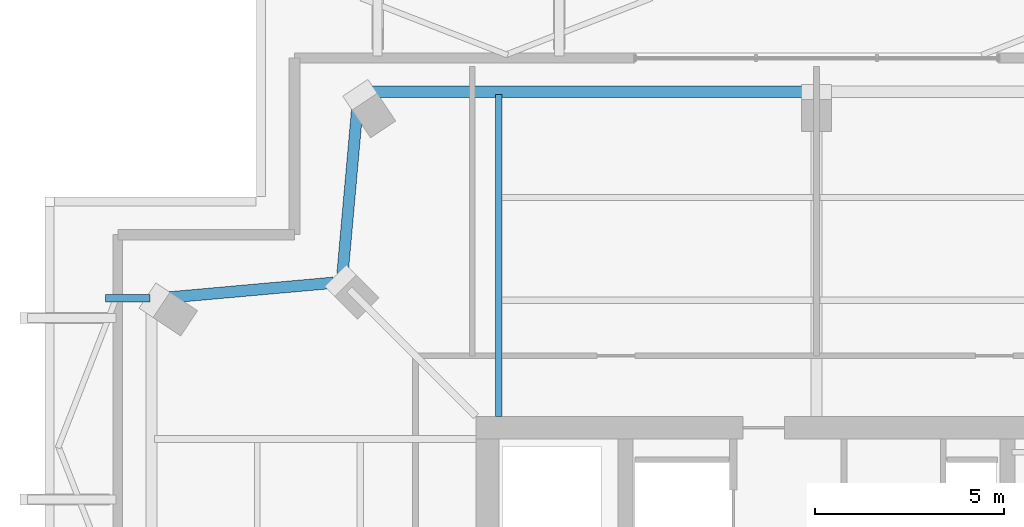
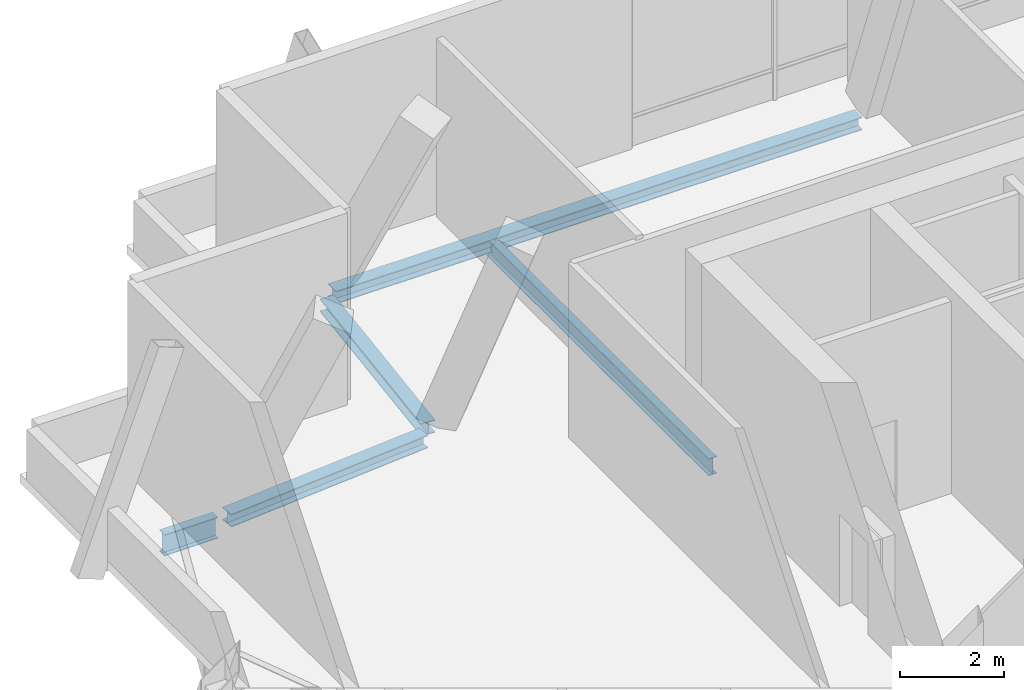
# One storey, part 12 of 18: 5 beams.
"""IFC4 building model written with IfcOpenShell, lengths in metres."""

from ifc_helpers import new_model, si_unit, direction, frame, origin, origin_2d, place, context, subcontext, project, spatial, i_section, extrude, material, material_profile, profile_set, type_object, element, save


model = new_model("IFC4")

# Units and contexts
model_context = context("Model", 3, precision=1e-05, world=origin(), true_north=direction((0.0, 1.0)))
body_context = subcontext(model_context, "Body", "Model", "MODEL_VIEW")
ifc_project = project(units=[si_unit("LENGTHUNIT", "METRE"), si_unit("AREAUNIT", "SQUARE_METRE"), si_unit("VOLUMEUNIT", "CUBIC_METRE"), si_unit("PLANEANGLEUNIT", "RADIAN"), si_unit("MASSUNIT", "GRAM", prefix="KILO")], contexts=[model_context])

# Site, building, storey
site_placement = place(None, origin())
site = spatial("IfcSite", under=ifc_project, at=site_placement, CompositionType="ELEMENT")
building_placement = place(site_placement, origin())
building = spatial("IfcBuilding", under=site, at=building_placement, Name="Belovzor Exchange Tower", CompositionType="ELEMENT")
storey_placement = place(building_placement, frame((0.0, 0.0, 369.0)))
storey = spatial("IfcBuildingStorey", under=building, at=storey_placement, Name="L92", CompositionType="ELEMENT", Elevation=369.0)

# Beams
ifc_material_1 = material(Name="Steel S355", Category="steel")
ifc_material_profile_1 = material_profile(ifc_material_1, i_section(OverallWidth=0.300048828125, OverallDepth=0.300048828125, WebThickness=0.010986328125, FlangeThickness=0.01904296875, at=origin_2d()))
ifc_profile_set_1 = profile_set([ifc_material_profile_1], Name="Steel S355")
beam_type_1 = type_object("IfcBeamType", Name="Crown Plant Primary Beam HEB 300", PredefinedType="BEAM", material=ifc_profile_set_1)
beam_1_placement = place(storey_placement, frame((28.580078125, 46.3798828125, -0.449951171875), z_axis=(-1.0, 0.0, 0.0), x_axis=(0.0, -1.0, 0.0)))
element("IfcBeam", 1, at=beam_1_placement, inside=storey, type_object=beam_type_1, Name="FG-CR Crown Plant Primary Beam HEB 300", PredefinedType="BEAM", context=body_context, shape_type="SweptSolid", body=[
    extrude(i_section(OverallWidth=0.300048828125, OverallDepth=0.300048828125, WebThickness=0.010986328125, FlangeThickness=0.01904296875, at=origin_2d()), origin(), (0.0, 0.0, 1.0), 11.66015625),
])
beam_2_placement = place(storey_placement, frame((16.679931640625, 46.160888671875, -0.449951171875), z_axis=(-0.0889169267, -0.996039045493, 0.0), x_axis=(0.996039045493, -0.0889169267, 0.0)))
element("IfcBeam", 2, at=beam_2_placement, inside=storey, type_object=beam_type_1, Name="FG-CR Crown Plant Primary Beam HEB 300", PredefinedType="BEAM", context=body_context, shape_type="SweptSolid", body=[
    extrude(i_section(OverallWidth=0.300048828125, OverallDepth=0.300048828125, WebThickness=0.010986328125, FlangeThickness=0.01904296875, at=origin_2d()), origin(), (0.0, 0.0, 1.0), 4.610107421875),
])
beam_3_placement = place(storey_placement, frame((16.031005859375, 41.330078125, -0.449951171875), z_axis=(-0.996034773054, -0.088964773179, 0.0), x_axis=(0.088964773179, -0.996034773054, 0.0)))
element("IfcBeam", 3, at=beam_3_placement, inside=storey, type_object=beam_type_1, Name="FG-CR Crown Plant Primary Beam HEB 300", PredefinedType="BEAM", context=body_context, shape_type="SweptSolid", body=[
    extrude(i_section(OverallWidth=0.300048828125, OverallDepth=0.300048828125, WebThickness=0.010986328125, FlangeThickness=0.01904296875, at=origin_2d()), origin(), (0.0, 0.0, 1.0), 4.6103515625),
])
ifc_material_2 = material(Name="Steel S355", Category="steel")
ifc_material_profile_2 = material_profile(ifc_material_2, i_section(OverallWidth=0.199951171875, OverallDepth=0.5, WebThickness=0.01025390625, FlangeThickness=0.01611328125, at=origin_2d()))
ifc_profile_set_2 = profile_set([ifc_material_profile_2], Name="Steel S355")
beam_type_2 = type_object("IfcBeamType", Name="Planted Balcony Cantilever Beam IPE 500", PredefinedType="BEAM", material=ifc_profile_set_2)
beam_4_placement = place(storey_placement, frame((11.179931640625, 40.922119140625, -0.550048828125), z_axis=(-1.0, 0.0, 0.0), x_axis=(0.0, -1.0, 0.0)))
element("IfcBeam", 4, at=beam_4_placement, inside=storey, type_object=beam_type_2, Name="BC-500 Planted Balcony Cantilever Beam IPE 500", PredefinedType="BEAM", context=body_context, shape_type="SweptSolid", body=[
    extrude(i_section(OverallWidth=0.199951171875, OverallDepth=0.5, WebThickness=0.01025390625, FlangeThickness=0.01611328125, at=origin_2d()), origin(), (0.0, 0.0, 1.0), 1.179931640625),
])
ifc_material_3 = material(Name="Steel S355", Category="steel")
ifc_material_profile_3 = material_profile(ifc_material_3, i_section(OverallWidth=0.179931640625, OverallDepth=0.39990234375, WebThickness=0.008544921875, FlangeThickness=0.013427734375, at=origin_2d()))
ifc_profile_set_3 = profile_set([ifc_material_profile_3], Name="Steel S355")
beam_type_3 = type_object("IfcBeamType", Name="Zone 5-6 Radial Composite Floor Beam IPE 400", PredefinedType="BEAM", material=ifc_profile_set_3)
beam_5_placement = place(storey_placement, frame((20.39990234375, 37.800048828125, -0.5), z_axis=(0.0, 1.0, 0.0), x_axis=(-1.0, 0.0, 0.0)))
element("IfcBeam", 5, at=beam_5_placement, inside=storey, type_object=beam_type_3, Name="FB-400 Zone 5-6 Radial Composite Floor Beam IPE 400", PredefinedType="BEAM", context=body_context, shape_type="SweptSolid", body=[
    extrude(i_section(OverallWidth=0.179931640625, OverallDepth=0.39990234375, WebThickness=0.008544921875, FlangeThickness=0.013427734375, at=origin_2d()), origin(), (0.0, 0.0, 1.0), 8.5048828125),
])

save(model, "model.ifc")
